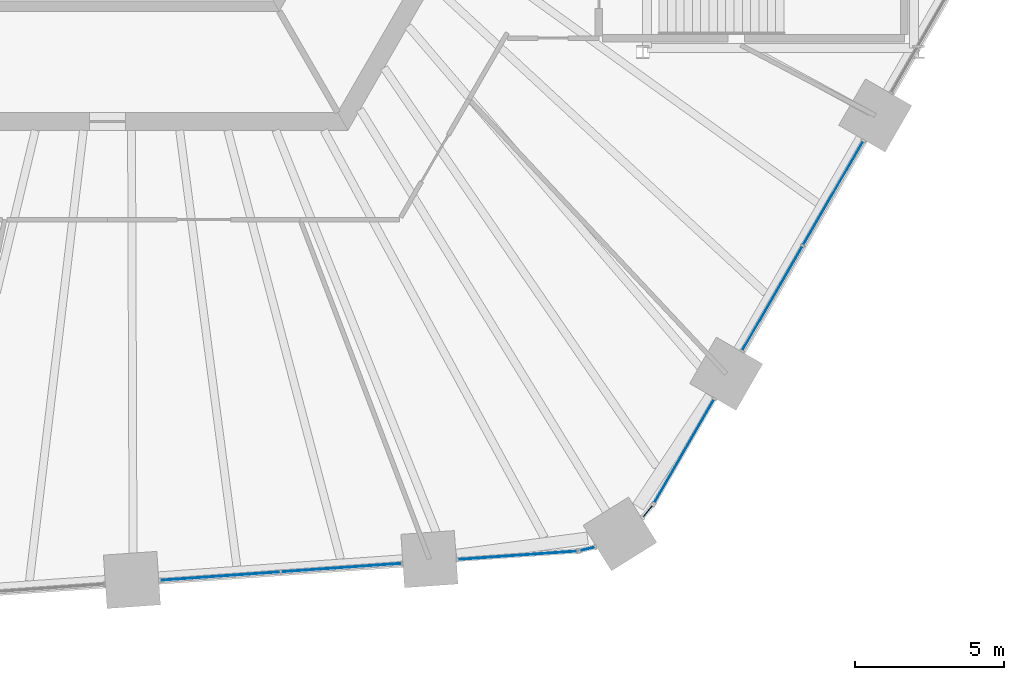
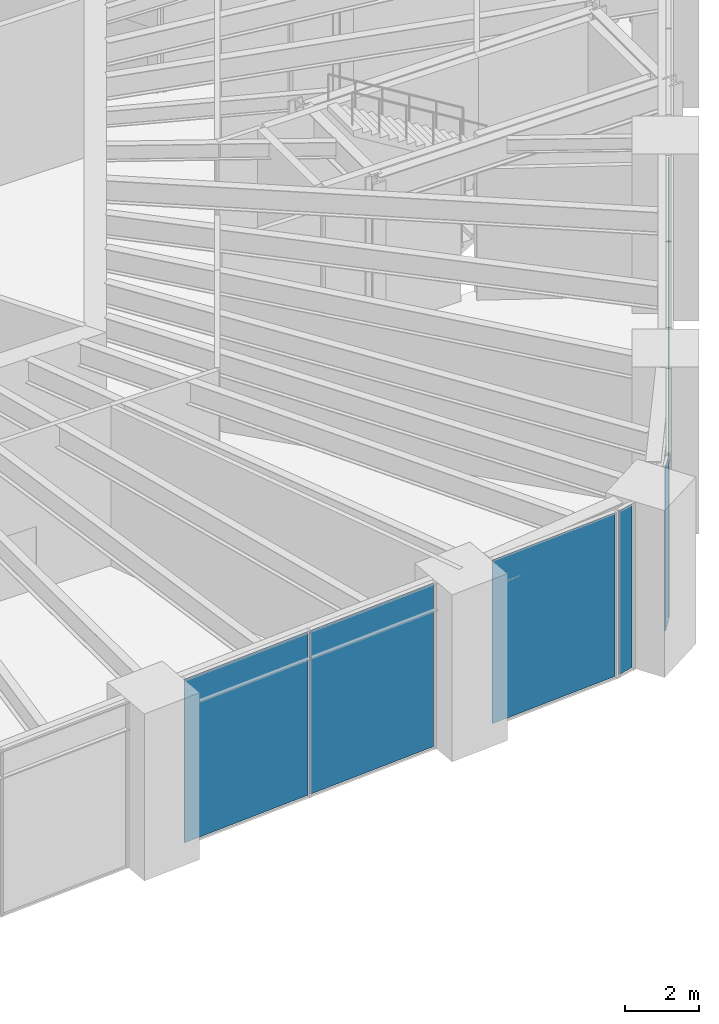
# One storey, part 16 of 30: 8 plates, 6 elements without a shape of their own.
"""IFC4 building model written with IfcOpenShell, lengths in metres."""

from ifc_helpers import new_model, si_unit, direction, frame, origin, origin_2d, place, context, subcontext, project, spatial, rectangle, extrude, material, layer, layer_set, type_object, element, aggregate, save


model = new_model("IFC4")

# Units and contexts
model_context = context("Model", 3, precision=1e-05, world=origin(), true_north=direction((0.0, 1.0)))
body_context = subcontext(model_context, "Body", "Model", "MODEL_VIEW")
ifc_project = project(units=[si_unit("LENGTHUNIT", "METRE"), si_unit("AREAUNIT", "SQUARE_METRE"), si_unit("VOLUMEUNIT", "CUBIC_METRE"), si_unit("PLANEANGLEUNIT", "RADIAN"), si_unit("MASSUNIT", "GRAM", prefix="KILO")], contexts=[model_context])

# Site, building, storey
site_placement = place(None, origin())
site = spatial("IfcSite", under=ifc_project, at=site_placement, CompositionType="ELEMENT")
building_placement = place(site_placement, origin())
building = spatial("IfcBuilding", under=site, at=building_placement, Name="Tarnside Tower", CompositionType="ELEMENT")
storey_placement = place(building_placement, frame((0.0, 0.0, 20.5)))
storey = spatial("IfcBuildingStorey", under=building, at=storey_placement, Name="L03", CompositionType="ELEMENT", Elevation=20.5)

# Curtain wall, plates
ifc_material_1 = material(Name="Retail shopfront glazing wall", Category="glass")
curtain_wall_type = type_object("IfcCurtainWallType", Name="Retail shopfront glazing wall", PredefinedType="NOTDEFINED", material=ifc_material_1)
curtain_wall_1_placement = place(storey_placement, origin())
curtain_wall_1 = element("IfcCurtainWall", 1, at=curtain_wall_1_placement, inside=storey, type_object=curtain_wall_type, Name="Retail shopfront glazing L03 13.0", PredefinedType="NOTDEFINED")
ifc_material_2 = material(Name="Low-iron safety glass", Category="glass")
ifc_layer = layer(ifc_material_2, 0.028076171875)
ifc_layer_set = layer_set([ifc_layer], Name="Retail shopfront glazing panel 28")
plate_type = type_object("IfcPlateType", Name="Retail shopfront glazing panel 28", PredefinedType="CURTAIN_PANEL", material=ifc_layer_set)
plate_1_placement = place(storey_placement, frame((3.791015625, -28.986083984375, -0.18994140625), z_axis=(0.0, 0.0, 1.0), x_axis=(0.997564050257, 0.069756473779, 0.0)))
plate_1 = element("IfcPlate", 2, at=plate_1_placement, type_object=plate_type, Name="CW2 panel 1.1", PredefinedType="CURTAIN_PANEL", context=body_context, shape_type="SweptSolid", body=[
    extrude(rectangle(XDim=4.021728515625, YDim=0.028076171875, at=origin_2d()), origin(), (0.0, 0.0, 1.0), 5.3798828125),
])
plate_2_placement = place(storey_placement, frame((7.863037109375, -28.701416015625, -0.18994140625), z_axis=(0.0, 0.0, 1.0), x_axis=(0.997564050257, 0.069756473779, 0.0)))
plate_2 = element("IfcPlate", 3, at=plate_2_placement, type_object=plate_type, Name="CW2 panel 2.1", PredefinedType="CURTAIN_PANEL", context=body_context, shape_type="SweptSolid", body=[
    extrude(rectangle(XDim=4.021728515625, YDim=0.028076171875, at=origin_2d()), origin(), (0.0, 0.0, 1.0), 5.3798828125),
])
aggregate(curtain_wall_1, [plate_1, plate_2])

# Curtain wall, plate
curtain_wall_2_placement = place(storey_placement, origin())
curtain_wall_2 = element("IfcCurtainWall", 4, at=curtain_wall_2_placement, inside=storey, type_object=curtain_wall_type, Name="Retail shopfront glazing L03 14.0", PredefinedType="NOTDEFINED")
plate_3_placement = place(storey_placement, frame((13.775390625, -28.2880859375, -0.18994140625), z_axis=(0.0, 0.0, 1.0), x_axis=(0.997564050248, 0.069756473918, 0.0)))
plate_3 = element("IfcPlate", 5, at=plate_3_placement, type_object=plate_type, Name="CW2 panel 1.1", PredefinedType="CURTAIN_PANEL", context=body_context, shape_type="SweptSolid", body=[
    extrude(rectangle(XDim=3.991943359375, YDim=0.028076171875, at=origin_2d()), origin(), (0.0, 0.0, 1.0), 5.3798828125),
])
aggregate(curtain_wall_2, [plate_3])

curtain_wall_3_placement = place(storey_placement, origin())
curtain_wall_3 = element("IfcCurtainWall", 6, at=curtain_wall_3_placement, inside=storey, type_object=curtain_wall_type, Name="Retail shopfront glazing L03 14.1", PredefinedType="NOTDEFINED")
plate_4_placement = place(storey_placement, frame((16.135009765625, -28.072509765625, -0.18994140625), z_axis=(0.0, 0.0, 1.0), x_axis=(0.973044870489, 0.230615871127, 0.0)))
plate_4 = element("IfcPlate", 7, at=plate_4_placement, type_object=plate_type, Name="CW2 panel 1.1", PredefinedType="CURTAIN_PANEL", context=body_context, shape_type="SweptSolid", body=[
    extrude(rectangle(XDim=0.48828125, YDim=0.028076171875, at=origin_2d()), origin(), (0.0, 0.0, 1.0), 5.3798828125),
])
aggregate(curtain_wall_3, [plate_4])

curtain_wall_4_placement = place(storey_placement, origin())
curtain_wall_4 = element("IfcCurtainWall", 8, at=curtain_wall_4_placement, inside=storey, type_object=curtain_wall_type, Name="Retail shopfront glazing L03 15.0", PredefinedType="NOTDEFINED")
plate_5_placement = place(storey_placement, frame((18.158203125, -26.808349609375, -0.18994140625), z_axis=(0.0, 0.0, 1.0), x_axis=(0.633830966989, 0.77347159307, 0.0)))
plate_5 = element("IfcPlate", 9, at=plate_5_placement, type_object=plate_type, Name="CW2 panel 1.1", PredefinedType="CURTAIN_PANEL", context=body_context, shape_type="SweptSolid", body=[
    extrude(rectangle(XDim=0.48828125, YDim=0.028076171875, at=origin_2d()), origin(), (0.0, 0.0, 1.0), 5.3798828125),
])
aggregate(curtain_wall_4, [plate_5])

curtain_wall_5_placement = place(storey_placement, origin())
curtain_wall_5 = element("IfcCurtainWall", 10, at=curtain_wall_5_placement, inside=storey, type_object=curtain_wall_type, Name="Retail shopfront glazing L03 15.1", PredefinedType="NOTDEFINED")
plate_6_placement = place(storey_placement, frame((19.386474609375, -24.78173828125, -0.18994140625), z_axis=(0.0, 0.0, 1.0), x_axis=(0.50000000003, 0.866025403767, 0.0)))
plate_6 = element("IfcPlate", 11, at=plate_6_placement, type_object=plate_type, Name="CW2 panel 1.1", PredefinedType="CURTAIN_PANEL", context=body_context, shape_type="SweptSolid", body=[
    extrude(rectangle(XDim=3.991943359375, YDim=0.028076171875, at=origin_2d()), origin(), (0.0, 0.0, 1.0), 5.3798828125),
])
aggregate(curtain_wall_5, [plate_6])

# Curtain wall, plates
curtain_wall_6_placement = place(storey_placement, origin())
curtain_wall_6 = element("IfcCurtainWall", 12, at=curtain_wall_6_placement, inside=storey, type_object=curtain_wall_type, Name="Retail shopfront glazing L03 16.0", PredefinedType="NOTDEFINED")
plate_7_placement = place(storey_placement, frame((22.349853515625, -19.64892578125, -0.18994140625), z_axis=(0.0, 0.0, 1.0), x_axis=(0.49999999994, 0.866025403819, 0.0)))
plate_7 = element("IfcPlate", 13, at=plate_7_placement, type_object=plate_type, Name="CW2 panel 1.1", PredefinedType="CURTAIN_PANEL", context=body_context, shape_type="SweptSolid", body=[
    extrude(rectangle(XDim=4.021728515625, YDim=0.028076171875, at=origin_2d()), origin(), (0.0, 0.0, 1.0), 5.3798828125),
])
plate_8_placement = place(storey_placement, frame((24.390625, -16.114013671875, -0.18994140625), z_axis=(0.0, 0.0, 1.0), x_axis=(0.49999999994, 0.866025403819, 0.0)))
plate_8 = element("IfcPlate", 14, at=plate_8_placement, type_object=plate_type, Name="CW2 panel 2.1", PredefinedType="CURTAIN_PANEL", context=body_context, shape_type="SweptSolid", body=[
    extrude(rectangle(XDim=4.021728515625, YDim=0.028076171875, at=origin_2d()), origin(), (0.0, 0.0, 1.0), 5.3798828125),
])
aggregate(curtain_wall_6, [plate_7, plate_8])

save(model, "model.ifc")
